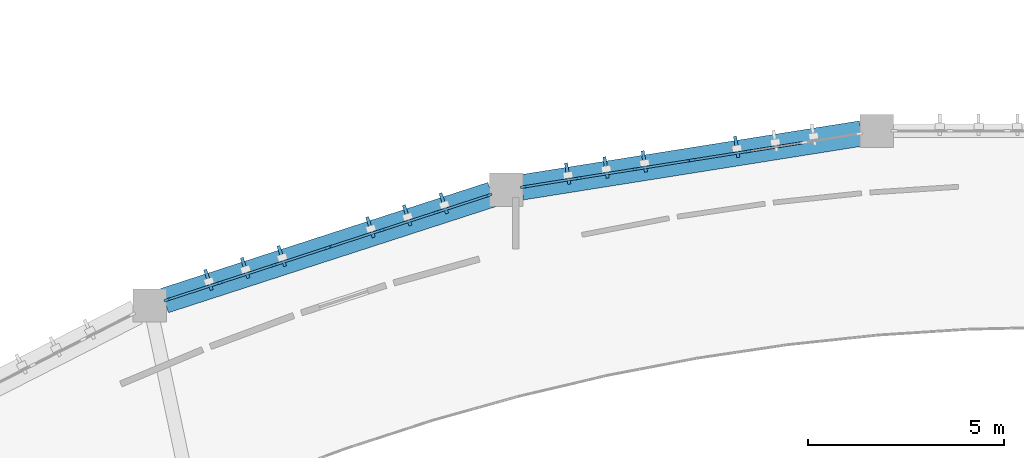
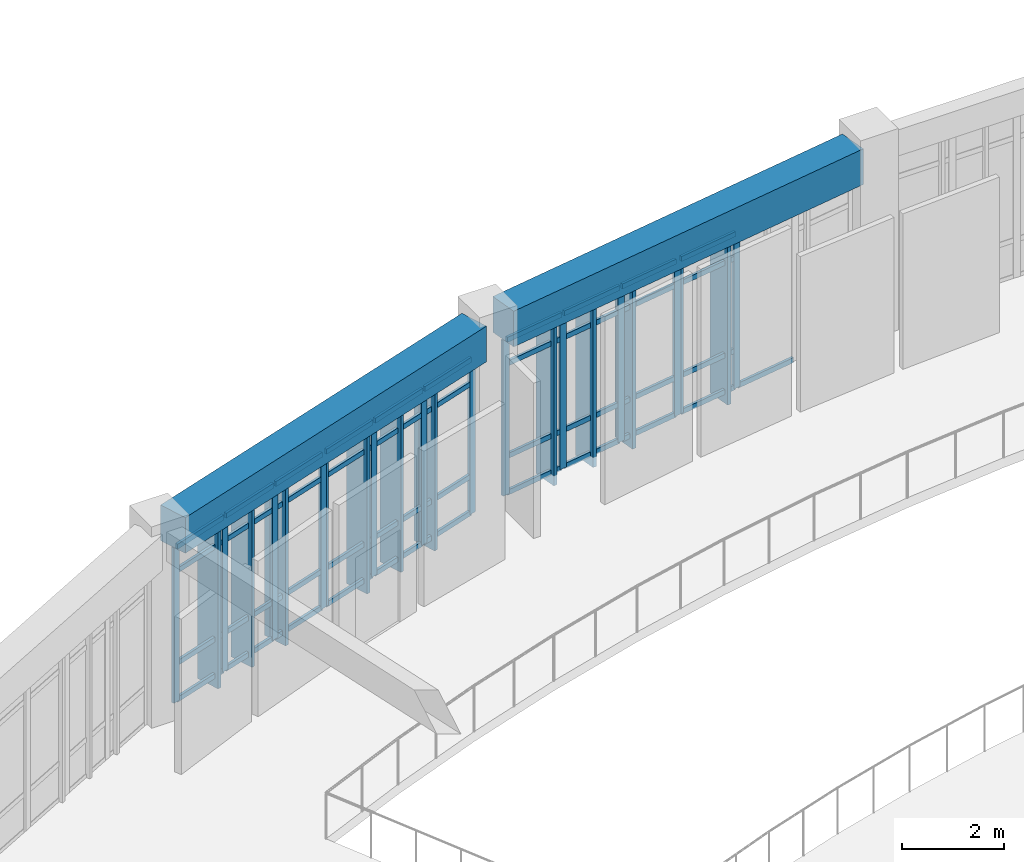
# One storey, part 19 of 68: 65 members, 2 beams, 4 elements without a shape of their own.
"""IFC4 building model written with IfcOpenShell, lengths in metres."""

from ifc_helpers import new_model, si_unit, direction, frame, origin, origin_2d, place, context, subcontext, project, spatial, rectangle, extrude, material, layer, layer_set, material_profile, profile_set, type_object, element, aggregate, save


model = new_model("IFC4")

# Units and contexts
model_context = context("Model", 3, precision=1e-05, world=origin(), true_north=direction((0.0, 1.0)))
body_context = subcontext(model_context, "Body", "Model", "MODEL_VIEW")
ifc_project = project(units=[si_unit("LENGTHUNIT", "METRE"), si_unit("AREAUNIT", "SQUARE_METRE"), si_unit("VOLUMEUNIT", "CUBIC_METRE"), si_unit("PLANEANGLEUNIT", "RADIAN"), si_unit("MASSUNIT", "GRAM", prefix="KILO")], contexts=[model_context])

# Site, building, storey
site_placement = place(None, origin())
site = spatial("IfcSite", under=ifc_project, at=site_placement, CompositionType="ELEMENT")
building_placement = place(site_placement, origin())
building = spatial("IfcBuilding", under=site, at=building_placement, Name="Miralva Faculty of Natural Sciences", CompositionType="ELEMENT")
storey_placement = place(building_placement, frame((0.0, 0.0, 5.39990234375)))
storey = spatial("IfcBuildingStorey", under=building, at=storey_placement, Name="L01", CompositionType="ELEMENT", Elevation=5.39990234375)

# Beams
ifc_material_1 = material(Name="Concrete C40/50", Category="concrete")
ifc_material_profile_1 = material_profile(ifc_material_1, rectangle(XDim=0.64990234375, YDim=0.85009765625, at=origin_2d()), Name="RC 650x850")
ifc_profile_set_1 = profile_set([ifc_material_profile_1], Name="Concrete C40/50")
beam_type = type_object("IfcBeamType", Name="BM-SP03", PredefinedType="SPANDREL", material=ifc_profile_set_1)
beam_1_placement = place(storey_placement, frame((84.82373046875, 39.748779296875, 4.135009765625), z_axis=(-0.987634435807, -0.156774427787, 0.0), x_axis=(0.156774427787, -0.987634435807, 0.0)))
element("IfcBeam", 1, at=beam_1_placement, inside=storey, type_object=beam_type, Name="Curved chord girder SHOUT L01-6", PredefinedType="SPANDREL", context=body_context, shape_type="SweptSolid", body=[
    extrude(rectangle(XDim=0.64990234375, YDim=0.85009765625, at=origin_2d()), origin(), (0.0, 0.0, 1.0), 8.7861328125),
])
beam_2_placement = place(storey_placement, frame((75.38818359375, 38.189453125, 4.135009765625), z_axis=(-0.951268878856, -0.308362643846, 0.0), x_axis=(0.308362643846, -0.951268878856, 0.0)))
element("IfcBeam", 2, at=beam_2_placement, inside=storey, type_object=beam_type, Name="Curved chord girder SHOUT L01-7", PredefinedType="SPANDREL", context=body_context, shape_type="SweptSolid", body=[
    extrude(rectangle(XDim=0.64990234375, YDim=0.85009765625, at=origin_2d()), origin(), (0.0, 0.0, 1.0), 8.7841796875),
])

# Curtain wall, members
ifc_material_2 = material(Name="Laminated solar-control glass", Category="glass")
ifc_layer = layer(ifc_material_2, 0.179931640625, Name="CW-ARC-L01")
ifc_layer_set = layer_set([ifc_layer], Name="Laminated solar-control glass")
curtain_wall_type = type_object("IfcCurtainWallType", Name="CW-ARC-L01", PredefinedType="USERDEFINED", material=ifc_layer_set)
curtain_wall_1_placement = place(storey_placement, origin())
curtain_wall_1 = element("IfcCurtainWall", 3, at=curtain_wall_1_placement, inside=storey, type_object=curtain_wall_type, Name="Curtain wall CW-02 L01-35", ObjectType="UNITISED CURTAIN WALL", PredefinedType="USERDEFINED")
ifc_material_3 = material(Name="Anodised aluminium", Category="aluminium")
ifc_material_profile_2 = material_profile(ifc_material_3, rectangle(XDim=0.06494140625, YDim=0.159912109375, at=origin_2d()), Name="MULLION 65x160")
ifc_profile_set_2 = profile_set([ifc_material_profile_2], Name="Anodised aluminium")
member_type_1 = type_object("IfcMemberType", Name="CW-M02", PredefinedType="MULLION", material=ifc_profile_set_2)
member_1_placement = place(storey_placement, frame((67.100830078125, 35.501220703125, 0.0), z_axis=(0.0, 0.0, 1.0), x_axis=(-0.309006559651, 0.951059906679, 0.0)))
member_1 = element("IfcMember", 4, at=member_1_placement, type_object=member_type_1, Name="CW-02 mullion 1", PredefinedType="MULLION", context=body_context, shape_type="SweptSolid", body=[
    extrude(rectangle(XDim=0.06494140625, YDim=0.159912109375, at=origin_2d()), origin(), (0.0, 0.0, 1.0), 3.705078125),
])
member_2_placement = place(storey_placement, frame((68.449462890625, 35.939208984375, 0.0), z_axis=(0.0, 0.0, 1.0), x_axis=(-0.309006559651, 0.951059906679, 0.0)))
member_2 = element("IfcMember", 5, at=member_2_placement, type_object=member_type_1, Name="CW-02 mullion 2", PredefinedType="MULLION", context=body_context, shape_type="SweptSolid", body=[
    extrude(rectangle(XDim=0.06494140625, YDim=0.159912109375, at=origin_2d()), origin(), (0.0, 0.0, 1.0), 3.705078125),
])
member_3_placement = place(storey_placement, frame((69.82861328125, 36.387451171875, 0.0), z_axis=(0.0, 0.0, 1.0), x_axis=(-0.309006559651, 0.951059906679, 0.0)))
member_3 = element("IfcMember", 6, at=member_3_placement, type_object=member_type_1, Name="CW-02 mullion 3", PredefinedType="MULLION", context=body_context, shape_type="SweptSolid", body=[
    extrude(rectangle(XDim=0.06494140625, YDim=0.159912109375, at=origin_2d()), origin(), (0.0, 0.0, 1.0), 3.705078125),
])
member_4_placement = place(storey_placement, frame((71.17724609375, 36.825439453125, 0.0), z_axis=(0.0, 0.0, 1.0), x_axis=(-0.309006559651, 0.951059906679, 0.0)))
member_4 = element("IfcMember", 7, at=member_4_placement, type_object=member_type_1, Name="CW-02 mullion 4", PredefinedType="MULLION", context=body_context, shape_type="SweptSolid", body=[
    extrude(rectangle(XDim=0.06494140625, YDim=0.159912109375, at=origin_2d()), origin(), (0.0, 0.0, 1.0), 3.705078125),
])

curtain_wall_2_placement = place(storey_placement, origin())
curtain_wall_2 = element("IfcCurtainWall", 8, at=curtain_wall_2_placement, inside=storey, type_object=curtain_wall_type, Name="Curtain wall CW-02 L01-36", ObjectType="UNITISED CURTAIN WALL", PredefinedType="USERDEFINED")
member_5_placement = place(storey_placement, frame((71.234130859375, 36.84423828125, 0.0), z_axis=(0.0, 0.0, 1.0), x_axis=(-0.309000939514, 0.951061732686, 0.0)))
member_5 = element("IfcMember", 9, at=member_5_placement, type_object=member_type_1, Name="CW-02 mullion 1", PredefinedType="MULLION", context=body_context, shape_type="SweptSolid", body=[
    extrude(rectangle(XDim=0.06494140625, YDim=0.159912109375, at=origin_2d()), origin(), (0.0, 0.0, 1.0), 3.705078125),
])
member_6_placement = place(storey_placement, frame((72.584228515625, 37.28271484375, 0.0), z_axis=(0.0, 0.0, 1.0), x_axis=(-0.309000939514, 0.951061732686, 0.0)))
member_6 = element("IfcMember", 10, at=member_6_placement, type_object=member_type_1, Name="CW-02 mullion 2", PredefinedType="MULLION", context=body_context, shape_type="SweptSolid", body=[
    extrude(rectangle(XDim=0.06494140625, YDim=0.159912109375, at=origin_2d()), origin(), (0.0, 0.0, 1.0), 3.705078125),
])
member_7_placement = place(storey_placement, frame((73.965087890625, 37.7314453125, 0.0), z_axis=(0.0, 0.0, 1.0), x_axis=(-0.309000939514, 0.951061732686, 0.0)))
member_7 = element("IfcMember", 11, at=member_7_placement, type_object=member_type_1, Name="CW-02 mullion 3", PredefinedType="MULLION", context=body_context, shape_type="SweptSolid", body=[
    extrude(rectangle(XDim=0.06494140625, YDim=0.159912109375, at=origin_2d()), origin(), (0.0, 0.0, 1.0), 3.705078125),
])
member_8_placement = place(storey_placement, frame((75.315185546875, 38.170166015625, 0.0), z_axis=(0.0, 0.0, 1.0), x_axis=(-0.309000939514, 0.951061732686, 0.0)))
member_8 = element("IfcMember", 12, at=member_8_placement, type_object=member_type_1, Name="CW-02 mullion 4", PredefinedType="MULLION", context=body_context, shape_type="SweptSolid", body=[
    extrude(rectangle(XDim=0.06494140625, YDim=0.159912109375, at=origin_2d()), origin(), (0.0, 0.0, 1.0), 3.705078125),
])

curtain_wall_3_placement = place(storey_placement, origin())
curtain_wall_3 = element("IfcCurtainWall", 13, at=curtain_wall_3_placement, inside=storey, type_object=curtain_wall_type, Name="Curtain wall CW-02 L01-37", ObjectType="UNITISED CURTAIN WALL", PredefinedType="USERDEFINED")
member_9_placement = place(storey_placement, frame((76.201904296875, 38.384521484375, 0.0), z_axis=(0.0, 0.0, 1.0), x_axis=(-0.15643952996, 0.987687538377, 0.0)))
member_9 = element("IfcMember", 14, at=member_9_placement, type_object=member_type_1, Name="CW-02 mullion 1", PredefinedType="MULLION", context=body_context, shape_type="SweptSolid", body=[
    extrude(rectangle(XDim=0.06494140625, YDim=0.159912109375, at=origin_2d()), origin(), (0.0, 0.0, 1.0), 3.705078125),
])
member_10_placement = place(storey_placement, frame((77.60888671875, 38.607421875, 0.0), z_axis=(0.0, 0.0, 1.0), x_axis=(-0.15643952996, 0.987687538377, 0.0)))
member_10 = element("IfcMember", 15, at=member_10_placement, type_object=member_type_1, Name="CW-02 mullion 2", PredefinedType="MULLION", context=body_context, shape_type="SweptSolid", body=[
    extrude(rectangle(XDim=0.06494140625, YDim=0.159912109375, at=origin_2d()), origin(), (0.0, 0.0, 1.0), 3.705078125),
])
member_11_placement = place(storey_placement, frame((79.0478515625, 38.83544921875, 0.0), z_axis=(0.0, 0.0, 1.0), x_axis=(-0.15643952996, 0.987687538377, 0.0)))
member_11 = element("IfcMember", 16, at=member_11_placement, type_object=member_type_1, Name="CW-02 mullion 3", PredefinedType="MULLION", context=body_context, shape_type="SweptSolid", body=[
    extrude(rectangle(XDim=0.06494140625, YDim=0.159912109375, at=origin_2d()), origin(), (0.0, 0.0, 1.0), 3.705078125),
])
member_12_placement = place(storey_placement, frame((80.454833984375, 39.05810546875, 0.0), z_axis=(0.0, 0.0, 1.0), x_axis=(-0.15643952996, 0.987687538377, 0.0)))
member_12 = element("IfcMember", 17, at=member_12_placement, type_object=member_type_1, Name="CW-02 mullion 4", PredefinedType="MULLION", context=body_context, shape_type="SweptSolid", body=[
    extrude(rectangle(XDim=0.06494140625, YDim=0.159912109375, at=origin_2d()), origin(), (0.0, 0.0, 1.0), 3.705078125),
])

curtain_wall_4_placement = place(storey_placement, origin())
curtain_wall_4 = element("IfcCurtainWall", 18, at=curtain_wall_4_placement, inside=storey, type_object=curtain_wall_type, Name="Curtain wall CW-02 L01-38", ObjectType="UNITISED CURTAIN WALL", PredefinedType="USERDEFINED")
member_13_placement = place(storey_placement, frame((80.51416015625, 39.067626953125, 0.0), z_axis=(0.0, 0.0, 1.0), x_axis=(-0.156422562973, 0.987690225624, 0.0)))
member_13 = element("IfcMember", 19, at=member_13_placement, type_object=member_type_1, Name="CW-02 mullion 1", PredefinedType="MULLION", context=body_context, shape_type="SweptSolid", body=[
    extrude(rectangle(XDim=0.06494140625, YDim=0.159912109375, at=origin_2d()), origin(), (0.0, 0.0, 1.0), 3.705078125),
])
member_14_placement = place(storey_placement, frame((81.922607421875, 39.290771484375, 0.0), z_axis=(0.0, 0.0, 1.0), x_axis=(-0.156422562973, 0.987690225624, 0.0)))
member_14 = element("IfcMember", 20, at=member_14_placement, type_object=member_type_1, Name="CW-02 mullion 2", PredefinedType="MULLION", context=body_context, shape_type="SweptSolid", body=[
    extrude(rectangle(XDim=0.06494140625, YDim=0.159912109375, at=origin_2d()), origin(), (0.0, 0.0, 1.0), 3.705078125),
])

# Member
ifc_material_profile_3 = material_profile(ifc_material_3, rectangle(XDim=0.06005859375, YDim=0.1201171875, at=origin_2d()), Name="TRANSOM 60x120")
ifc_profile_set_3 = profile_set([ifc_material_profile_3], Name="Anodised aluminium")
member_type_2 = type_object("IfcMemberType", Name="CW-T02", PredefinedType="USERDEFINED", material=ifc_profile_set_3)
member_15_placement = place(storey_placement, frame((67.1318359375, 35.51123046875, 0.030029296875), z_axis=(0.951073847779, 0.308963648462, 0.0), x_axis=(-0.308963648462, 0.951073847779, 0.0)))
member_15 = element("IfcMember", 21, at=member_15_placement, type_object=member_type_2, Name="CW-02 transom 1.1", ObjectType="TRANSOM", PredefinedType="USERDEFINED", context=body_context, shape_type="SweptSolid", body=[
    extrude(rectangle(XDim=0.06005859375, YDim=0.1201171875, at=origin_2d()), origin(), (0.0, 0.0, 1.0), 1.352783203125),
])

member_16_placement = place(storey_placement, frame((67.1318359375, 35.51123046875, 0.900146484375), z_axis=(0.951073847779, 0.308963648462, 0.0), x_axis=(-0.308963648462, 0.951073847779, 0.0)))
member_16 = element("IfcMember", 22, at=member_16_placement, type_object=member_type_2, Name="CW-02 transom 1.2", ObjectType="TRANSOM", PredefinedType="USERDEFINED", context=body_context, shape_type="SweptSolid", body=[
    extrude(rectangle(XDim=0.06005859375, YDim=0.1201171875, at=origin_2d()), origin(), (0.0, 0.0, 1.0), 1.352783203125),
])

member_17_placement = place(storey_placement, frame((67.1318359375, 35.51123046875, 3.10498046875), z_axis=(0.951073847779, 0.308963648462, 0.0), x_axis=(-0.308963648462, 0.951073847779, 0.0)))
member_17 = element("IfcMember", 23, at=member_17_placement, type_object=member_type_2, Name="CW-02 transom 1.3", ObjectType="TRANSOM", PredefinedType="USERDEFINED", context=body_context, shape_type="SweptSolid", body=[
    extrude(rectangle(XDim=0.06005859375, YDim=0.1201171875, at=origin_2d()), origin(), (0.0, 0.0, 1.0), 1.352783203125),
])

member_18_placement = place(storey_placement, frame((67.1318359375, 35.51123046875, 3.675048828125), z_axis=(0.951073847779, 0.308963648462, 0.0), x_axis=(-0.308963648462, 0.951073847779, 0.0)))
member_18 = element("IfcMember", 24, at=member_18_placement, type_object=member_type_2, Name="CW-02 transom 1.4", ObjectType="TRANSOM", PredefinedType="USERDEFINED", context=body_context, shape_type="SweptSolid", body=[
    extrude(rectangle(XDim=0.06005859375, YDim=0.1201171875, at=origin_2d()), origin(), (0.0, 0.0, 1.0), 1.352783203125),
])

member_19_placement = place(storey_placement, frame((68.480224609375, 35.94921875, 0.030029296875), z_axis=(0.951035363693, 0.309082087811, 0.0), x_axis=(-0.309082087811, 0.951035363693, 0.0)))
member_19 = element("IfcMember", 25, at=member_19_placement, type_object=member_type_2, Name="CW-02 transom 2.1", ObjectType="TRANSOM", PredefinedType="USERDEFINED", context=body_context, shape_type="SweptSolid", body=[
    extrude(rectangle(XDim=0.06005859375, YDim=0.1201171875, at=origin_2d()), origin(), (0.0, 0.0, 1.0), 1.385498046875),
])

member_20_placement = place(storey_placement, frame((68.480224609375, 35.94921875, 0.900146484375), z_axis=(0.951035363693, 0.309082087811, 0.0), x_axis=(-0.309082087811, 0.951035363693, 0.0)))
member_20 = element("IfcMember", 26, at=member_20_placement, type_object=member_type_2, Name="CW-02 transom 2.2", ObjectType="TRANSOM", PredefinedType="USERDEFINED", context=body_context, shape_type="SweptSolid", body=[
    extrude(rectangle(XDim=0.06005859375, YDim=0.1201171875, at=origin_2d()), origin(), (0.0, 0.0, 1.0), 1.385498046875),
])

member_21_placement = place(storey_placement, frame((68.480224609375, 35.94921875, 3.10498046875), z_axis=(0.951035363693, 0.309082087811, 0.0), x_axis=(-0.309082087811, 0.951035363693, 0.0)))
member_21 = element("IfcMember", 27, at=member_21_placement, type_object=member_type_2, Name="CW-02 transom 2.3", ObjectType="TRANSOM", PredefinedType="USERDEFINED", context=body_context, shape_type="SweptSolid", body=[
    extrude(rectangle(XDim=0.06005859375, YDim=0.1201171875, at=origin_2d()), origin(), (0.0, 0.0, 1.0), 1.385498046875),
])

member_22_placement = place(storey_placement, frame((68.480224609375, 35.94921875, 3.675048828125), z_axis=(0.951035363693, 0.309082087811, 0.0), x_axis=(-0.309082087811, 0.951035363693, 0.0)))
member_22 = element("IfcMember", 28, at=member_22_placement, type_object=member_type_2, Name="CW-02 transom 2.4", ObjectType="TRANSOM", PredefinedType="USERDEFINED", context=body_context, shape_type="SweptSolid", body=[
    extrude(rectangle(XDim=0.06005859375, YDim=0.1201171875, at=origin_2d()), origin(), (0.0, 0.0, 1.0), 1.385498046875),
])

member_23_placement = place(storey_placement, frame((69.859619140625, 36.3974609375, 0.030029296875), z_axis=(0.951073847779, 0.308963648462, 0.0), x_axis=(-0.308963648462, 0.951073847779, 0.0)))
member_23 = element("IfcMember", 29, at=member_23_placement, type_object=member_type_2, Name="CW-02 transom 3.1", ObjectType="TRANSOM", PredefinedType="USERDEFINED", context=body_context, shape_type="SweptSolid", body=[
    extrude(rectangle(XDim=0.06005859375, YDim=0.1201171875, at=origin_2d()), origin(), (0.0, 0.0, 1.0), 1.352783203125),
])

member_24_placement = place(storey_placement, frame((69.859619140625, 36.3974609375, 0.900146484375), z_axis=(0.951073847779, 0.308963648462, 0.0), x_axis=(-0.308963648462, 0.951073847779, 0.0)))
member_24 = element("IfcMember", 30, at=member_24_placement, type_object=member_type_2, Name="CW-02 transom 3.2", ObjectType="TRANSOM", PredefinedType="USERDEFINED", context=body_context, shape_type="SweptSolid", body=[
    extrude(rectangle(XDim=0.06005859375, YDim=0.1201171875, at=origin_2d()), origin(), (0.0, 0.0, 1.0), 1.352783203125),
])

member_25_placement = place(storey_placement, frame((69.859619140625, 36.3974609375, 3.10498046875), z_axis=(0.951073847779, 0.308963648462, 0.0), x_axis=(-0.308963648462, 0.951073847779, 0.0)))
member_25 = element("IfcMember", 31, at=member_25_placement, type_object=member_type_2, Name="CW-02 transom 3.3", ObjectType="TRANSOM", PredefinedType="USERDEFINED", context=body_context, shape_type="SweptSolid", body=[
    extrude(rectangle(XDim=0.06005859375, YDim=0.1201171875, at=origin_2d()), origin(), (0.0, 0.0, 1.0), 1.352783203125),
])

member_26_placement = place(storey_placement, frame((69.859619140625, 36.3974609375, 3.675048828125), z_axis=(0.951073847779, 0.308963648462, 0.0), x_axis=(-0.308963648462, 0.951073847779, 0.0)))
member_26 = element("IfcMember", 32, at=member_26_placement, type_object=member_type_2, Name="CW-02 transom 3.4", ObjectType="TRANSOM", PredefinedType="USERDEFINED", context=body_context, shape_type="SweptSolid", body=[
    extrude(rectangle(XDim=0.06005859375, YDim=0.1201171875, at=origin_2d()), origin(), (0.0, 0.0, 1.0), 1.352783203125),
])

aggregate(curtain_wall_1, [member_1, member_2, member_3, member_4, member_15, member_16, member_17, member_18, member_19, member_20, member_21, member_22, member_23, member_24, member_25, member_26])

member_27_placement = place(storey_placement, frame((71.26513671875, 36.854248046875, 0.030029296875), z_axis=(0.951071154013, 0.308971940481, 0.0), x_axis=(-0.308971940481, 0.951071154013, 0.0)))
member_27 = element("IfcMember", 33, at=member_27_placement, type_object=member_type_2, Name="CW-02 transom 1.1", ObjectType="TRANSOM", PredefinedType="USERDEFINED", context=body_context, shape_type="SweptSolid", body=[
    extrude(rectangle(XDim=0.06005859375, YDim=0.1201171875, at=origin_2d()), origin(), (0.0, 0.0, 1.0), 1.354248046875),
])

member_28_placement = place(storey_placement, frame((71.26513671875, 36.854248046875, 0.900146484375), z_axis=(0.951071154013, 0.308971940481, 0.0), x_axis=(-0.308971940481, 0.951071154013, 0.0)))
member_28 = element("IfcMember", 34, at=member_28_placement, type_object=member_type_2, Name="CW-02 transom 1.2", ObjectType="TRANSOM", PredefinedType="USERDEFINED", context=body_context, shape_type="SweptSolid", body=[
    extrude(rectangle(XDim=0.06005859375, YDim=0.1201171875, at=origin_2d()), origin(), (0.0, 0.0, 1.0), 1.354248046875),
])

member_29_placement = place(storey_placement, frame((71.26513671875, 36.854248046875, 3.10498046875), z_axis=(0.951071154013, 0.308971940481, 0.0), x_axis=(-0.308971940481, 0.951071154013, 0.0)))
member_29 = element("IfcMember", 35, at=member_29_placement, type_object=member_type_2, Name="CW-02 transom 1.3", ObjectType="TRANSOM", PredefinedType="USERDEFINED", context=body_context, shape_type="SweptSolid", body=[
    extrude(rectangle(XDim=0.06005859375, YDim=0.1201171875, at=origin_2d()), origin(), (0.0, 0.0, 1.0), 1.354248046875),
])

member_30_placement = place(storey_placement, frame((71.26513671875, 36.854248046875, 3.675048828125), z_axis=(0.951071154013, 0.308971940481, 0.0), x_axis=(-0.308971940481, 0.951071154013, 0.0)))
member_30 = element("IfcMember", 36, at=member_30_placement, type_object=member_type_2, Name="CW-02 transom 1.4", ObjectType="TRANSOM", PredefinedType="USERDEFINED", context=body_context, shape_type="SweptSolid", body=[
    extrude(rectangle(XDim=0.06005859375, YDim=0.1201171875, at=origin_2d()), origin(), (0.0, 0.0, 1.0), 1.354248046875),
])

member_31_placement = place(storey_placement, frame((72.615234375, 37.292724609375, 0.030029296875), z_axis=(0.951032775194, 0.309090052423, 0.0), x_axis=(-0.309090052423, 0.951032775194, 0.0)))
member_31 = element("IfcMember", 37, at=member_31_placement, type_object=member_type_2, Name="CW-02 transom 2.1", ObjectType="TRANSOM", PredefinedType="USERDEFINED", context=body_context, shape_type="SweptSolid", body=[
    extrude(rectangle(XDim=0.06005859375, YDim=0.1201171875, at=origin_2d()), origin(), (0.0, 0.0, 1.0), 1.386962890625),
])

member_32_placement = place(storey_placement, frame((72.615234375, 37.292724609375, 0.900146484375), z_axis=(0.951032775194, 0.309090052423, 0.0), x_axis=(-0.309090052423, 0.951032775194, 0.0)))
member_32 = element("IfcMember", 38, at=member_32_placement, type_object=member_type_2, Name="CW-02 transom 2.2", ObjectType="TRANSOM", PredefinedType="USERDEFINED", context=body_context, shape_type="SweptSolid", body=[
    extrude(rectangle(XDim=0.06005859375, YDim=0.1201171875, at=origin_2d()), origin(), (0.0, 0.0, 1.0), 1.386962890625),
])

member_33_placement = place(storey_placement, frame((72.615234375, 37.292724609375, 3.10498046875), z_axis=(0.951032775194, 0.309090052423, 0.0), x_axis=(-0.309090052423, 0.951032775194, 0.0)))
member_33 = element("IfcMember", 39, at=member_33_placement, type_object=member_type_2, Name="CW-02 transom 2.3", ObjectType="TRANSOM", PredefinedType="USERDEFINED", context=body_context, shape_type="SweptSolid", body=[
    extrude(rectangle(XDim=0.06005859375, YDim=0.1201171875, at=origin_2d()), origin(), (0.0, 0.0, 1.0), 1.386962890625),
])

member_34_placement = place(storey_placement, frame((72.615234375, 37.292724609375, 3.675048828125), z_axis=(0.951032775194, 0.309090052423, 0.0), x_axis=(-0.309090052423, 0.951032775194, 0.0)))
member_34 = element("IfcMember", 40, at=member_34_placement, type_object=member_type_2, Name="CW-02 transom 2.4", ObjectType="TRANSOM", PredefinedType="USERDEFINED", context=body_context, shape_type="SweptSolid", body=[
    extrude(rectangle(XDim=0.06005859375, YDim=0.1201171875, at=origin_2d()), origin(), (0.0, 0.0, 1.0), 1.386962890625),
])

member_35_placement = place(storey_placement, frame((73.99609375, 37.741455078125, 0.030029296875), z_axis=(0.951071154013, 0.308971940481, 0.0), x_axis=(-0.308971940481, 0.951071154013, 0.0)))
member_35 = element("IfcMember", 41, at=member_35_placement, type_object=member_type_2, Name="CW-02 transom 3.1", ObjectType="TRANSOM", PredefinedType="USERDEFINED", context=body_context, shape_type="SweptSolid", body=[
    extrude(rectangle(XDim=0.06005859375, YDim=0.1201171875, at=origin_2d()), origin(), (0.0, 0.0, 1.0), 1.354248046875),
])

member_36_placement = place(storey_placement, frame((73.99609375, 37.741455078125, 0.900146484375), z_axis=(0.951071154013, 0.308971940481, 0.0), x_axis=(-0.308971940481, 0.951071154013, 0.0)))
member_36 = element("IfcMember", 42, at=member_36_placement, type_object=member_type_2, Name="CW-02 transom 3.2", ObjectType="TRANSOM", PredefinedType="USERDEFINED", context=body_context, shape_type="SweptSolid", body=[
    extrude(rectangle(XDim=0.06005859375, YDim=0.1201171875, at=origin_2d()), origin(), (0.0, 0.0, 1.0), 1.354248046875),
])

member_37_placement = place(storey_placement, frame((73.99609375, 37.741455078125, 3.10498046875), z_axis=(0.951071154013, 0.308971940481, 0.0), x_axis=(-0.308971940481, 0.951071154013, 0.0)))
member_37 = element("IfcMember", 43, at=member_37_placement, type_object=member_type_2, Name="CW-02 transom 3.3", ObjectType="TRANSOM", PredefinedType="USERDEFINED", context=body_context, shape_type="SweptSolid", body=[
    extrude(rectangle(XDim=0.06005859375, YDim=0.1201171875, at=origin_2d()), origin(), (0.0, 0.0, 1.0), 1.354248046875),
])

member_38_placement = place(storey_placement, frame((73.99609375, 37.741455078125, 3.675048828125), z_axis=(0.951071154013, 0.308971940481, 0.0), x_axis=(-0.308971940481, 0.951071154013, 0.0)))
member_38 = element("IfcMember", 44, at=member_38_placement, type_object=member_type_2, Name="CW-02 transom 3.4", ObjectType="TRANSOM", PredefinedType="USERDEFINED", context=body_context, shape_type="SweptSolid", body=[
    extrude(rectangle(XDim=0.06005859375, YDim=0.1201171875, at=origin_2d()), origin(), (0.0, 0.0, 1.0), 1.354248046875),
])

aggregate(curtain_wall_2, [member_5, member_6, member_7, member_8, member_27, member_28, member_29, member_30, member_31, member_32, member_33, member_34, member_35, member_36, member_37, member_38])

member_39_placement = place(storey_placement, frame((76.23388671875, 38.3896484375, 0.030029296875), z_axis=(0.987691515216, 0.156414419955, 0.0), x_axis=(-0.156414419955, 0.987691515216, 0.0)))
member_39 = element("IfcMember", 45, at=member_39_placement, type_object=member_type_2, Name="CW-02 transom 1.1", ObjectType="TRANSOM", PredefinedType="USERDEFINED", context=body_context, shape_type="SweptSolid", body=[
    extrude(rectangle(XDim=0.06005859375, YDim=0.1201171875, at=origin_2d()), origin(), (0.0, 0.0, 1.0), 1.359619140625),
])

member_40_placement = place(storey_placement, frame((76.23388671875, 38.3896484375, 0.900146484375), z_axis=(0.987691515216, 0.156414419955, 0.0), x_axis=(-0.156414419955, 0.987691515216, 0.0)))
member_40 = element("IfcMember", 46, at=member_40_placement, type_object=member_type_2, Name="CW-02 transom 1.2", ObjectType="TRANSOM", PredefinedType="USERDEFINED", context=body_context, shape_type="SweptSolid", body=[
    extrude(rectangle(XDim=0.06005859375, YDim=0.1201171875, at=origin_2d()), origin(), (0.0, 0.0, 1.0), 1.359619140625),
])

member_41_placement = place(storey_placement, frame((76.23388671875, 38.3896484375, 3.10498046875), z_axis=(0.987691515216, 0.156414419955, 0.0), x_axis=(-0.156414419955, 0.987691515216, 0.0)))
member_41 = element("IfcMember", 47, at=member_41_placement, type_object=member_type_2, Name="CW-02 transom 1.3", ObjectType="TRANSOM", PredefinedType="USERDEFINED", context=body_context, shape_type="SweptSolid", body=[
    extrude(rectangle(XDim=0.06005859375, YDim=0.1201171875, at=origin_2d()), origin(), (0.0, 0.0, 1.0), 1.359619140625),
])

member_42_placement = place(storey_placement, frame((76.23388671875, 38.3896484375, 3.675048828125), z_axis=(0.987691515216, 0.156414419955, 0.0), x_axis=(-0.156414419955, 0.987691515216, 0.0)))
member_42 = element("IfcMember", 48, at=member_42_placement, type_object=member_type_2, Name="CW-02 transom 1.4", ObjectType="TRANSOM", PredefinedType="USERDEFINED", context=body_context, shape_type="SweptSolid", body=[
    extrude(rectangle(XDim=0.06005859375, YDim=0.1201171875, at=origin_2d()), origin(), (0.0, 0.0, 1.0), 1.359619140625),
])

member_43_placement = place(storey_placement, frame((77.640869140625, 38.612548828125, 0.030029296875), z_axis=(0.987684621612, 0.156457943967, 0.0), x_axis=(-0.156457943967, 0.987684621612, 0.0)))
member_43 = element("IfcMember", 49, at=member_43_placement, type_object=member_type_2, Name="CW-02 transom 2.1", ObjectType="TRANSOM", PredefinedType="USERDEFINED", context=body_context, shape_type="SweptSolid", body=[
    extrude(rectangle(XDim=0.06005859375, YDim=0.1201171875, at=origin_2d()), origin(), (0.0, 0.0, 1.0), 1.391845703125),
])

member_44_placement = place(storey_placement, frame((77.640869140625, 38.612548828125, 0.900146484375), z_axis=(0.987684621612, 0.156457943967, 0.0), x_axis=(-0.156457943967, 0.987684621612, 0.0)))
member_44 = element("IfcMember", 50, at=member_44_placement, type_object=member_type_2, Name="CW-02 transom 2.2", ObjectType="TRANSOM", PredefinedType="USERDEFINED", context=body_context, shape_type="SweptSolid", body=[
    extrude(rectangle(XDim=0.06005859375, YDim=0.1201171875, at=origin_2d()), origin(), (0.0, 0.0, 1.0), 1.391845703125),
])

member_45_placement = place(storey_placement, frame((77.640869140625, 38.612548828125, 3.10498046875), z_axis=(0.987684621612, 0.156457943967, 0.0), x_axis=(-0.156457943967, 0.987684621612, 0.0)))
member_45 = element("IfcMember", 51, at=member_45_placement, type_object=member_type_2, Name="CW-02 transom 2.3", ObjectType="TRANSOM", PredefinedType="USERDEFINED", context=body_context, shape_type="SweptSolid", body=[
    extrude(rectangle(XDim=0.06005859375, YDim=0.1201171875, at=origin_2d()), origin(), (0.0, 0.0, 1.0), 1.391845703125),
])

member_46_placement = place(storey_placement, frame((77.640869140625, 38.612548828125, 3.675048828125), z_axis=(0.987684621612, 0.156457943967, 0.0), x_axis=(-0.156457943967, 0.987684621612, 0.0)))
member_46 = element("IfcMember", 52, at=member_46_placement, type_object=member_type_2, Name="CW-02 transom 2.4", ObjectType="TRANSOM", PredefinedType="USERDEFINED", context=body_context, shape_type="SweptSolid", body=[
    extrude(rectangle(XDim=0.06005859375, YDim=0.1201171875, at=origin_2d()), origin(), (0.0, 0.0, 1.0), 1.391845703125),
])

member_47_placement = place(storey_placement, frame((79.079833984375, 38.84033203125, 0.030029296875), z_axis=(0.987663757248, 0.156589599331, 0.0), x_axis=(-0.156589599331, 0.987663757248, 0.0)))
member_47 = element("IfcMember", 53, at=member_47_placement, type_object=member_type_2, Name="CW-02 transom 3.1", ObjectType="TRANSOM", PredefinedType="USERDEFINED", context=body_context, shape_type="SweptSolid", body=[
    extrude(rectangle(XDim=0.06005859375, YDim=0.1201171875, at=origin_2d()), origin(), (0.0, 0.0, 1.0), 1.359619140625),
])

member_48_placement = place(storey_placement, frame((79.079833984375, 38.84033203125, 0.900146484375), z_axis=(0.987663757248, 0.156589599331, 0.0), x_axis=(-0.156589599331, 0.987663757248, 0.0)))
member_48 = element("IfcMember", 54, at=member_48_placement, type_object=member_type_2, Name="CW-02 transom 3.2", ObjectType="TRANSOM", PredefinedType="USERDEFINED", context=body_context, shape_type="SweptSolid", body=[
    extrude(rectangle(XDim=0.06005859375, YDim=0.1201171875, at=origin_2d()), origin(), (0.0, 0.0, 1.0), 1.359619140625),
])

member_49_placement = place(storey_placement, frame((79.079833984375, 38.84033203125, 3.10498046875), z_axis=(0.987663757248, 0.156589599331, 0.0), x_axis=(-0.156589599331, 0.987663757248, 0.0)))
member_49 = element("IfcMember", 55, at=member_49_placement, type_object=member_type_2, Name="CW-02 transom 3.3", ObjectType="TRANSOM", PredefinedType="USERDEFINED", context=body_context, shape_type="SweptSolid", body=[
    extrude(rectangle(XDim=0.06005859375, YDim=0.1201171875, at=origin_2d()), origin(), (0.0, 0.0, 1.0), 1.359619140625),
])

member_50_placement = place(storey_placement, frame((79.079833984375, 38.84033203125, 3.675048828125), z_axis=(0.987663757248, 0.156589599331, 0.0), x_axis=(-0.156589599331, 0.987663757248, 0.0)))
member_50 = element("IfcMember", 56, at=member_50_placement, type_object=member_type_2, Name="CW-02 transom 3.4", ObjectType="TRANSOM", PredefinedType="USERDEFINED", context=body_context, shape_type="SweptSolid", body=[
    extrude(rectangle(XDim=0.06005859375, YDim=0.1201171875, at=origin_2d()), origin(), (0.0, 0.0, 1.0), 1.359619140625),
])

aggregate(curtain_wall_3, [member_9, member_10, member_11, member_12, member_39, member_40, member_41, member_42, member_43, member_44, member_45, member_46, member_47, member_48, member_49, member_50])

member_51_placement = place(storey_placement, frame((80.546142578125, 39.07275390625, 0.030029296875), z_axis=(0.987694522615, 0.156395428313, 0.0), x_axis=(-0.156395428313, 0.987694522615, 0.0)))
member_51 = element("IfcMember", 57, at=member_51_placement, type_object=member_type_2, Name="CW-02 transom 1.1", ObjectType="TRANSOM", PredefinedType="USERDEFINED", context=body_context, shape_type="SweptSolid", body=[
    extrude(rectangle(XDim=0.06005859375, YDim=0.1201171875, at=origin_2d()), origin(), (0.0, 0.0, 1.0), 1.361328125),
])

member_52_placement = place(storey_placement, frame((80.546142578125, 39.07275390625, 0.900146484375), z_axis=(0.987694522615, 0.156395428313, 0.0), x_axis=(-0.156395428313, 0.987694522615, 0.0)))
member_52 = element("IfcMember", 58, at=member_52_placement, type_object=member_type_2, Name="CW-02 transom 1.2", ObjectType="TRANSOM", PredefinedType="USERDEFINED", context=body_context, shape_type="SweptSolid", body=[
    extrude(rectangle(XDim=0.06005859375, YDim=0.1201171875, at=origin_2d()), origin(), (0.0, 0.0, 1.0), 1.361328125),
])

member_53_placement = place(storey_placement, frame((80.546142578125, 39.07275390625, 3.10498046875), z_axis=(0.987694522615, 0.156395428313, 0.0), x_axis=(-0.156395428313, 0.987694522615, 0.0)))
member_53 = element("IfcMember", 59, at=member_53_placement, type_object=member_type_2, Name="CW-02 transom 1.3", ObjectType="TRANSOM", PredefinedType="USERDEFINED", context=body_context, shape_type="SweptSolid", body=[
    extrude(rectangle(XDim=0.06005859375, YDim=0.1201171875, at=origin_2d()), origin(), (0.0, 0.0, 1.0), 1.361328125),
])

member_54_placement = place(storey_placement, frame((80.546142578125, 39.07275390625, 3.675048828125), z_axis=(0.987694522615, 0.156395428313, 0.0), x_axis=(-0.156395428313, 0.987694522615, 0.0)))
member_54 = element("IfcMember", 60, at=member_54_placement, type_object=member_type_2, Name="CW-02 transom 1.4", ObjectType="TRANSOM", PredefinedType="USERDEFINED", context=body_context, shape_type="SweptSolid", body=[
    extrude(rectangle(XDim=0.06005859375, YDim=0.1201171875, at=origin_2d()), origin(), (0.0, 0.0, 1.0), 1.361328125),
])

member_55_placement = place(storey_placement, frame((81.954833984375, 39.295654296875, 0.030029296875), z_axis=(0.987687568473, 0.156439339951, 0.0), x_axis=(-0.156439339951, 0.987687568473, 0.0)))
member_55 = element("IfcMember", 61, at=member_55_placement, type_object=member_type_2, Name="CW-02 transom 2.1", ObjectType="TRANSOM", PredefinedType="USERDEFINED", context=body_context, shape_type="SweptSolid", body=[
    extrude(rectangle(XDim=0.06005859375, YDim=0.1201171875, at=origin_2d()), origin(), (0.0, 0.0, 1.0), 1.3935546875),
])

aggregate(curtain_wall_4, [member_13, member_14, member_51, member_52, member_53, member_54, member_55])

# Members
ifc_material_profile_4 = material_profile(ifc_material_3, rectangle(XDim=0.080078125, YDim=0.550048828125, at=origin_2d()), Name="FIN 550x80")
ifc_profile_set_4 = profile_set([ifc_material_profile_4], Name="Anodised aluminium")
member_type_3 = type_object("IfcMemberType", Name="MEM-SF01", PredefinedType="USERDEFINED", material=ifc_profile_set_4)
for number, where, z_axis, x_axis, name in (
    (62, (68.154052734375, 36.01171875, -0.239990234375), (0.0, 0.0, 1.0), (-0.951056516295, -0.309016994375, 0.0), "Solar shading fin SF-01 L01-7"),
    (63, (69.089599609375, 36.3154296875, -0.239990234375), (0.0, 0.0, 1.0), (-0.951056516295, -0.309016994375, 0.0), "Solar shading fin SF-01 L01-8"),
    (64, (70.025146484375, 36.619384765625, -0.239990234375), (0.0, 0.0, 1.0), (-0.951056516295, -0.309016994375, 0.0), "Solar shading fin SF-01 L01-9"),
    (65, (72.2880859375, 37.354736328125, -0.239990234375), (0.0, 0.0, 1.0), (-0.951056516295, -0.309016994375, 0.0), "Solar shading fin SF-01 L01-10"),
    (66, (73.225341796875, 37.6591796875, -0.239990234375), (0.0, 0.0, 1.0), (-0.951056516295, -0.309016994375, 0.0), "Solar shading fin SF-01 L01-11"),
    (67, (74.162353515625, 37.963623046875, -0.239990234375), (0.0, 0.0, 1.0), (-0.951056516295, -0.309016994375, 0.0), "Solar shading fin SF-01 L01-12"),
    (68, (77.3251953125, 38.724609375, -0.239990234375), (0.0, 0.0, 1.0), (-0.987688340595, -0.15643446504, 0.0), "Solar shading fin SF-01 L01-13"),
    (69, (78.30322265625, 38.87939453125, -0.239990234375), (0.0, 0.0, 1.0), (-0.987688340595, -0.15643446504, 0.0), "Solar shading fin SF-01 L01-14"),
    (70, (79.281494140625, 39.034423828125, -0.239990234375), (0.0, 0.0, 1.0), (-0.987688340595, -0.15643446504, 0.0), "Solar shading fin SF-01 L01-15"),
    (71, (81.63818359375, 39.40771484375, -0.239990234375), (0.0, 0.0, 1.0), (-0.987688340595, -0.15643446504, 0.0), "Solar shading fin SF-01 L01-16"),
):
    element("IfcMember", number, at=place(storey_placement, frame(where, z_axis=z_axis, x_axis=x_axis)), inside=storey, type_object=member_type_3, Name=name, ObjectType="SUNSHADE", PredefinedType="USERDEFINED", context=body_context, shape_type="SweptSolid", body=[
        extrude(rectangle(XDim=0.080078125, YDim=0.550048828125, at=origin_2d()), origin(), (0.0, 0.0, 1.0), 3.945068359375),
    ])

save(model, "model.ifc")
